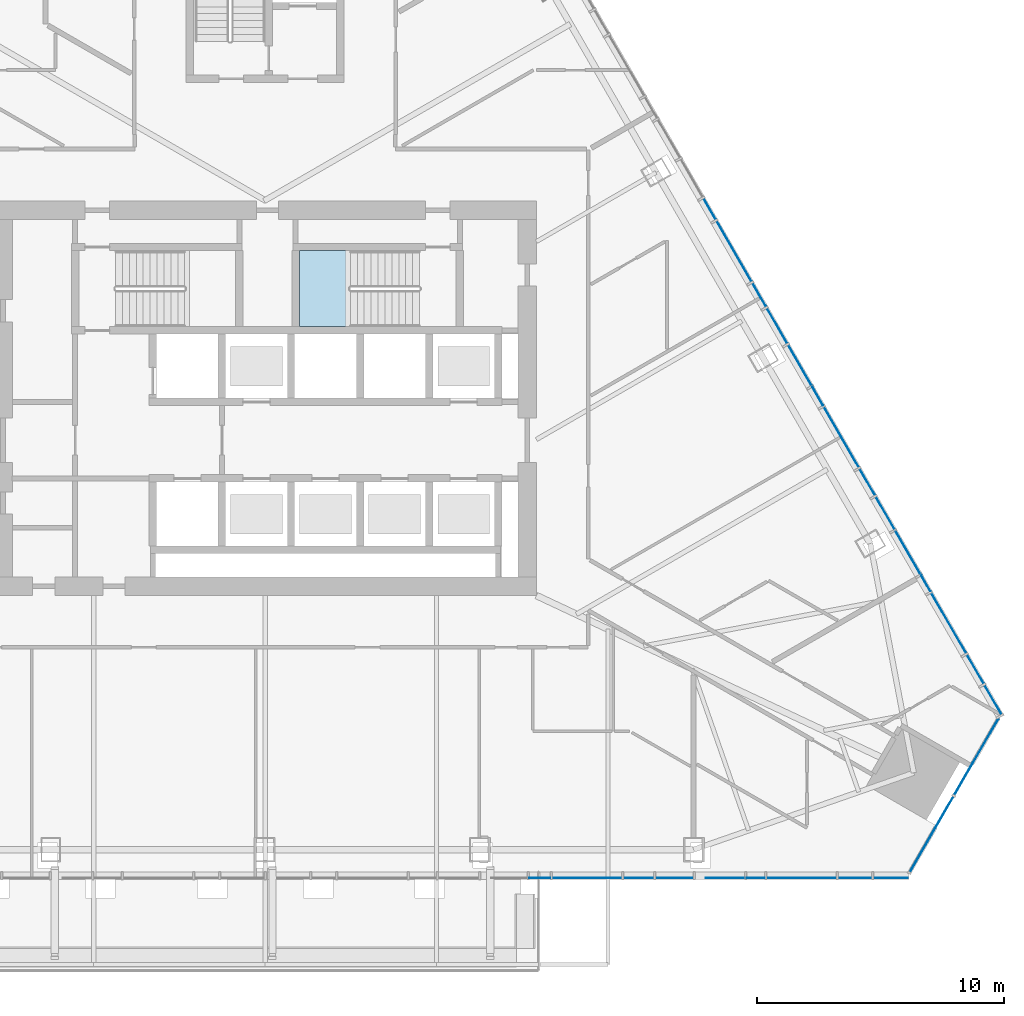
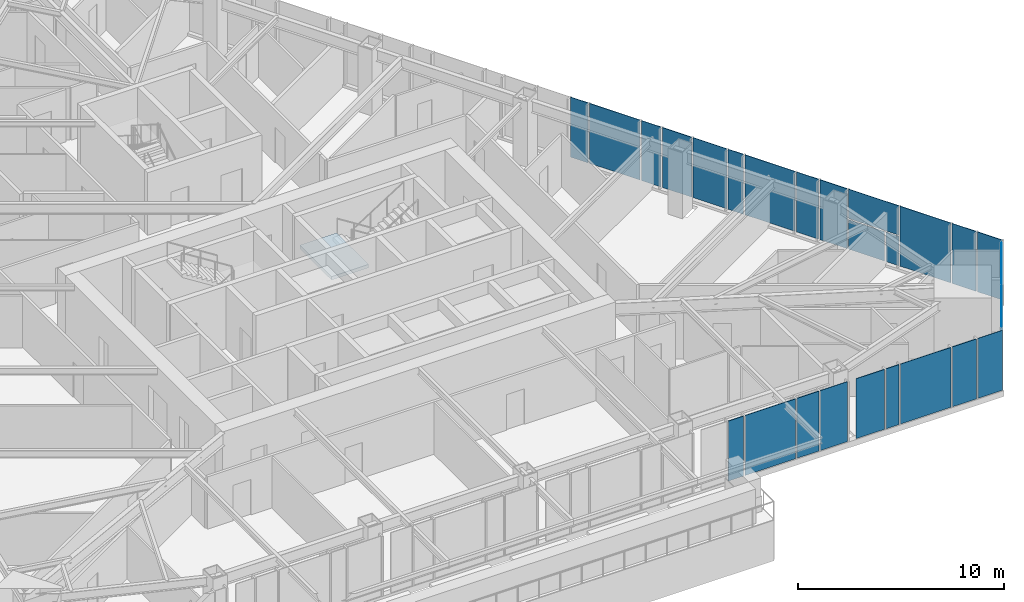
# One storey, part 13 of 23: 26 plates, 1 slab, 4 elements without a shape of their own.
"""IFC4 building model written with IfcOpenShell, lengths in metres."""

from ifc_helpers import new_model, si_unit, direction, frame, origin, place, context, subcontext, project, spatial, polyline, outline, extrude, material, layer, layer_set, type_object, element, aggregate, save


model = new_model("IFC4")

# Units and contexts
model_context = context("Model", 3, precision=1e-05, world=origin(), true_north=direction((0.0, 1.0)))
body_context = subcontext(model_context, "Body", "Model", "MODEL_VIEW")
ifc_project = project(units=[si_unit("LENGTHUNIT", "METRE"), si_unit("AREAUNIT", "SQUARE_METRE"), si_unit("VOLUMEUNIT", "CUBIC_METRE"), si_unit("PLANEANGLEUNIT", "RADIAN"), si_unit("MASSUNIT", "GRAM", prefix="KILO")], contexts=[model_context])

# Site, building, storey
site_placement = place(None, origin())
site = spatial("IfcSite", under=ifc_project, at=site_placement, CompositionType="ELEMENT")
building_placement = place(site_placement, origin())
building = spatial("IfcBuilding", under=site, at=building_placement, Name="Firuza Gate Tower and Library", CompositionType="ELEMENT")
storey_placement = place(building_placement, frame((0.0, 0.0, 190.89990234375)))
storey = spatial("IfcBuildingStorey", under=building, at=storey_placement, Name="L44", CompositionType="ELEMENT", Elevation=190.89990234375)

# Curtain wall, plates
ifc_material_1 = material(Name="Aluminium 6063-T6", Category="aluminium")
ifc_layer_1 = layer(ifc_material_1, 0.14990234375)
ifc_layer_set_1 = layer_set([ifc_layer_1], Name="Corner curtain wall, chamfers")
curtain_wall_type_1 = type_object("IfcCurtainWallType", Name="Corner curtain wall, chamfers", PredefinedType="NOTDEFINED", material=ifc_layer_set_1)
placement = place(storey_placement, origin())
curtain_wall_1 = element("IfcCurtainWall", 1, at=placement, inside=storey, type_object=curtain_wall_type_1, Name="CW4 L44 SE corner", PredefinedType="NOTDEFINED")
ifc_material_2 = material(Name="Fritted glass", Category="glass")
ifc_layer_2 = layer(ifc_material_2, 0.030029296875)
ifc_layer_set_2 = layer_set([ifc_layer_2], Name="Fritted glass unit, corners")
plate_type_1 = type_object("IfcPlateType", Name="Fritted glass unit, corners", PredefinedType="CURTAIN_PANEL", material=ifc_layer_set_2)
plate_1_placement = place(storey_placement, frame((101.133544921875, 55.7509765625, 0.150146484375), z_axis=(0.866016723041, -0.500015035186, 0.0), x_axis=(0.500015035186, 0.866016723041, 0.0)))
plate_1 = element("IfcPlate", 2, at=plate_1_placement, type_object=plate_type_1, Name="Glass unit", PredefinedType="CURTAIN_PANEL", context=body_context, shape_type="SweptSolid", body=[
    extrude(outline(polyline([(0.0, 0.0), (3.5633694106530625, 0.0), (3.5633694106530625, 3.550048828125), (0.0, 3.550048828125), (0.0, 0.0)])), origin(), (0.0, 0.0, -1.0), 0.030029296875),
])
plate_2_placement = place(storey_placement, frame((102.955322265625, 58.90625, 0.150146484375), z_axis=(0.866016723041, -0.500015035186, 0.0), x_axis=(0.500015035186, 0.866016723041, 0.0)))
plate_2 = element("IfcPlate", 3, at=plate_2_placement, type_object=plate_type_1, Name="Glass unit", PredefinedType="CURTAIN_PANEL", context=body_context, shape_type="SweptSolid", body=[
    extrude(outline(polyline([(0.0, 0.0), (3.5633694106530625, 0.0), (3.5633694106530625, 3.550048828125), (0.0, 3.550048828125), (0.0, 0.0)])), origin(), (0.0, 0.0, -1.0), 0.030029296875),
])
aggregate(curtain_wall_1, [plate_1, plate_2])

ifc_material_3 = material(Name="Aluminium 6063-T6", Category="aluminium")
ifc_layer_3 = layer(ifc_material_3, 0.14990234375)
ifc_layer_set_3 = layer_set([ifc_layer_3], Name="Unitised curtain wall, hotel")
curtain_wall_type_2 = type_object("IfcCurtainWallType", Name="Unitised curtain wall, hotel", PredefinedType="NOTDEFINED", material=ifc_layer_set_3)
curtain_wall_2 = element("IfcCurtainWall", 4, at=placement, inside=storey, type_object=curtain_wall_type_2, Name="CW2 L44 S face", PredefinedType="NOTDEFINED")
ifc_material_4 = material(Name="Fritted glass", Category="glass")
ifc_layer_4 = layer(ifc_material_4, 0.030029296875)
ifc_layer_set_4 = layer_set([ifc_layer_4], Name="Fritted glass unit, hotel")
plate_type_2 = type_object("IfcPlateType", Name="Fritted glass unit, hotel", PredefinedType="CURTAIN_PANEL", material=ifc_layer_set_4)
plate_3_placement = place(storey_placement, frame((90.843994140625, 55.538818359375, 0.150146484375), z_axis=(0.0, -1.0, 0.0), x_axis=(1.0, 0.0, 0.0)))
plate_3 = element("IfcPlate", 5, at=plate_3_placement, type_object=plate_type_2, Name="Glass unit", PredefinedType="CURTAIN_PANEL", context=body_context, shape_type="SweptSolid", body=[
    extrude(outline(polyline([(0.0, 0.0), (1.516357421875, 0.0), (1.516357421875, 3.550048828125), (0.0, 3.550048828125), (0.0, 0.0)])), origin(), (0.0, 0.0, -1.0), 0.030029296875),
])
plate_4_placement = place(storey_placement, frame((92.858642578125, 55.538818359375, 0.150146484375), z_axis=(0.0, -1.0, 0.0), x_axis=(1.0, 0.0, 0.0)))
plate_4 = element("IfcPlate", 6, at=plate_4_placement, type_object=plate_type_2, Name="Glass unit", PredefinedType="CURTAIN_PANEL", context=body_context, shape_type="SweptSolid", body=[
    extrude(outline(polyline([(0.0, 0.0), (1.5927734375, 0.0), (1.5927734375, 3.550048828125), (0.0, 3.550048828125), (0.0, 0.0)])), origin(), (0.0, 0.0, -1.0), 0.030029296875),
])
plate_5_placement = place(storey_placement, frame((99.66796875, 55.538818359375, 0.150146484375), z_axis=(0.0, -1.0, 0.0), x_axis=(1.0, 0.0, 0.0)))
plate_5 = element("IfcPlate", 7, at=plate_5_placement, type_object=plate_type_2, Name="Glass unit", PredefinedType="CURTAIN_PANEL", context=body_context, shape_type="SweptSolid", body=[
    extrude(outline(polyline([(0.0, 0.0), (1.392578125, 0.0), (1.392578125, 3.550048828125), (0.0, 3.550048828125), (0.0, 0.0)])), origin(), (0.0, 0.0, -1.0), 0.030029296875),
])

curtain_wall_3 = element("IfcCurtainWall", 8, at=placement, inside=storey, type_object=curtain_wall_type_2, Name="CW2 L44 E face", PredefinedType="NOTDEFINED")
plate_6_placement = place(storey_placement, frame((104.88427734375, 62.161376953125, 0.150146484375), z_axis=(0.866001699761, 0.500041054325, 0.0), x_axis=(-0.500041054325, 0.866001699761, 0.0)))
plate_6 = element("IfcPlate", 9, at=plate_6_placement, type_object=plate_type_2, Name="Glass unit", PredefinedType="CURTAIN_PANEL", context=body_context, shape_type="SweptSolid", body=[
    extrude(outline(polyline([(0.0, 0.0), (1.3929520328393656, 0.0), (1.3929520328393656, 3.550048828125), (0.0, 3.550048828125), (0.0, 0.0)])), origin(), (0.0, 0.0, -1.0), 0.030029296875),
])
plate_7_placement = place(storey_placement, frame((101.57958984375, 67.88525390625, 0.150146484375), z_axis=(0.865985419867, 0.500069247782, 0.0), x_axis=(-0.500069247782, 0.865985419867, 0.0)))
plate_7 = element("IfcPlate", 10, at=plate_7_placement, type_object=plate_type_2, Name="Glass unit", PredefinedType="CURTAIN_PANEL", context=body_context, shape_type="SweptSolid", body=[
    extrude(outline(polyline([(0.0, 0.0), (2.0109519608221467, 0.0), (2.0109519608221467, 1.73486328125), (0.0, 1.73486328125), (0.0, 0.0)])), origin(), (0.0, 0.0, -1.0), 0.030029296875),
])
plate_8_placement = place(storey_placement, frame((101.984130859375, 67.1845703125, 1.965087890625), z_axis=(0.865996714767, 0.500049687543, 0.0), x_axis=(-0.500049687543, 0.865996714767, 0.0)))
plate_8 = element("IfcPlate", 11, at=plate_8_placement, type_object=plate_type_2, Name="Glass unit", PredefinedType="CURTAIN_PANEL", context=body_context, shape_type="SweptSolid", body=[
    extrude(outline(polyline([(0.0, 0.0), (2.820032259049788, 0.0), (2.820032259049788, 1.735107421875), (0.0, 1.735107421875), (0.0, 0.0)])), origin(), (0.0, 0.0, -1.0), 0.030029296875),
])
plate_9_placement = place(storey_placement, frame((100.5341796875, 69.696044921875, 0.150146484375), z_axis=(0.865995223251, 0.500052270574, 0.0), x_axis=(-0.500052270574, 0.865995223251, 0.0)))
plate_9 = element("IfcPlate", 12, at=plate_9_placement, type_object=plate_type_2, Name="Glass unit", PredefinedType="CURTAIN_PANEL", context=body_context, shape_type="SweptSolid", body=[
    extrude(outline(polyline([(0.0, 0.0), (1.5164430318043731, 0.0), (1.5164430318043731, 3.550048828125), (0.0, 3.550048828125), (0.0, 0.0)])), origin(), (0.0, 0.0, -1.0), 0.030029296875),
])
plate_10_placement = place(storey_placement, frame((97.167724609375, 75.52685546875, 0.150146484375), z_axis=(0.865989558321, 0.500062081026, 0.0), x_axis=(-0.500062081026, 0.865989558321, 0.0)))
plate_10 = element("IfcPlate", 13, at=plate_10_placement, type_object=plate_type_2, Name="Glass unit", PredefinedType="CURTAIN_PANEL", context=body_context, shape_type="SweptSolid", body=[
    extrude(outline(polyline([(0.0, 0.0), (1.8874609614749842, 0.0), (1.8874609614749842, 3.550048828125), (0.0, 3.550048828125), (0.0, 0.0)])), origin(), (0.0, 0.0, -1.0), 0.030029296875),
])
plate_11_placement = place(storey_placement, frame((96.183837890625, 77.230712890625, 0.150146484375), z_axis=(0.866054188497, 0.499950140102, 0.0), x_axis=(-0.499950140102, 0.866054188497, 0.0)))
plate_11 = element("IfcPlate", 14, at=plate_11_placement, type_object=plate_type_2, Name="Glass unit", PredefinedType="CURTAIN_PANEL", context=body_context, shape_type="SweptSolid", body=[
    extrude(outline(polyline([(0.0, 0.0), (1.639811959215213, 0.0), (1.639811959215213, 3.550048828125), (0.0, 3.550048828125), (0.0, 0.0)])), origin(), (0.0, 0.0, -1.0), 0.030029296875),
])

# Plate
ifc_material_5 = material(Name="Glazed ceramic tile")
ifc_layer_5 = layer(ifc_material_5, 0.030029296875)
ifc_layer_set_5 = layer_set([ifc_layer_5], Name="Opaque ceramic panel, hotel")
plate_type_3 = type_object("IfcPlateType", Name="Opaque ceramic panel, hotel", PredefinedType="CURTAIN_PANEL", material=ifc_layer_set_5)
plate_12_placement = place(storey_placement, frame((85.70751953125, 55.538818359375, 0.150146484375), z_axis=(0.0, -1.0, 0.0), x_axis=(1.0, 0.0, 0.0)))
plate_12 = element("IfcPlate", 15, at=plate_12_placement, type_object=plate_type_3, Name="Opaque ceramic panel", PredefinedType="CURTAIN_PANEL", context=body_context, shape_type="SweptSolid", body=[
    extrude(outline(polyline([(0.0, 0.0), (0.852783203125, 0.0), (0.852783203125, 3.550048828125), (0.0, 3.550048828125), (0.0, 0.0)])), origin(), (0.0, 0.0, -1.0), 0.030029296875),
])

plate_13_placement = place(storey_placement, frame((86.640380859375, 55.538818359375, 0.150146484375), z_axis=(0.0, -1.0, 0.0), x_axis=(1.0, 0.0, 0.0)))
plate_13 = element("IfcPlate", 16, at=plate_13_placement, type_object=plate_type_3, Name="Opaque ceramic panel", PredefinedType="CURTAIN_PANEL", context=body_context, shape_type="SweptSolid", body=[
    extrude(outline(polyline([(0.0, 0.0), (2.820068359375, 0.0), (2.820068359375, 3.550048828125), (0.0, 3.550048828125), (0.0, 0.0)])), origin(), (0.0, 0.0, -1.0), 0.030029296875),
])

plate_14_placement = place(storey_placement, frame((89.540283203125, 55.538818359375, 0.150146484375), z_axis=(0.0, -1.0, 0.0), x_axis=(1.0, 0.0, 0.0)))
plate_14 = element("IfcPlate", 17, at=plate_14_placement, type_object=plate_type_3, Name="Opaque ceramic panel", PredefinedType="CURTAIN_PANEL", context=body_context, shape_type="SweptSolid", body=[
    extrude(outline(polyline([(0.0, 0.0), (1.2236328125, 0.0), (1.2236328125, 3.550048828125), (0.0, 3.550048828125), (0.0, 0.0)])), origin(), (0.0, 0.0, -1.0), 0.030029296875),
])

plate_15_placement = place(storey_placement, frame((94.531494140625, 55.538818359375, 0.150146484375), z_axis=(0.0, -1.0, 0.0), x_axis=(1.0, 0.0, 0.0)))
plate_15 = element("IfcPlate", 18, at=plate_15_placement, type_object=plate_type_3, Name="Opaque ceramic panel", PredefinedType="CURTAIN_PANEL", context=body_context, shape_type="SweptSolid", body=[
    extrude(outline(polyline([(0.0, 0.0), (0.72900390625, 0.0), (0.72900390625, 3.550048828125), (0.0, 3.550048828125), (0.0, 0.0)])), origin(), (0.0, 0.0, -1.0), 0.030029296875),
])

plate_16_placement = place(storey_placement, frame((95.340576171875, 55.538818359375, 0.150146484375), z_axis=(0.0, -1.0, 0.0), x_axis=(1.0, 0.0, 0.0)))
plate_16 = element("IfcPlate", 19, at=plate_16_placement, type_object=plate_type_3, Name="Opaque ceramic panel", PredefinedType="CURTAIN_PANEL", context=body_context, shape_type="SweptSolid", body=[
    extrude(outline(polyline([(0.0, 0.0), (2.820068359375, 0.0), (2.820068359375, 3.550048828125), (0.0, 3.550048828125), (0.0, 0.0)])), origin(), (0.0, 0.0, -1.0), 0.030029296875),
])

plate_17_placement = place(storey_placement, frame((98.240478515625, 55.538818359375, 0.150146484375), z_axis=(0.0, -1.0, 0.0), x_axis=(1.0, 0.0, 0.0)))
plate_17 = element("IfcPlate", 20, at=plate_17_placement, type_object=plate_type_3, Name="Opaque ceramic panel", PredefinedType="CURTAIN_PANEL", context=body_context, shape_type="SweptSolid", body=[
    extrude(outline(polyline([(0.0, 0.0), (1.347412109375, 0.0), (1.347412109375, 3.550048828125), (0.0, 3.550048828125), (0.0, 0.0)])), origin(), (0.0, 0.0, -1.0), 0.030029296875),
])

aggregate(curtain_wall_2, [plate_12, plate_13, plate_14, plate_3, plate_4, plate_15, plate_16, plate_17, plate_5])

plate_18_placement = place(storey_placement, frame((104.147705078125, 63.436767578125, 0.150146484375), z_axis=(0.866037718234, 0.499978670142, 0.0), x_axis=(-0.499978670142, 0.866037718234, 0.0)))
plate_18 = element("IfcPlate", 21, at=plate_18_placement, type_object=plate_type_3, Name="Opaque ceramic panel", PredefinedType="CURTAIN_PANEL", context=body_context, shape_type="SweptSolid", body=[
    extrude(outline(polyline([(0.0, 0.0), (1.347225441005746, 0.0), (1.347225441005746, 3.550048828125), (0.0, 3.550048828125), (0.0, 0.0)])), origin(), (0.0, 0.0, -1.0), 0.030029296875),
])

plate_19_placement = place(storey_placement, frame((103.43408203125, 64.6728515625, 0.150146484375), z_axis=(0.866055844559, 0.499947271324, 0.0), x_axis=(-0.499947271324, 0.866055844559, 0.0)))
plate_19 = element("IfcPlate", 22, at=plate_19_placement, type_object=plate_type_3, Name="Opaque ceramic panel", PredefinedType="CURTAIN_PANEL", context=body_context, shape_type="SweptSolid", body=[
    extrude(outline(polyline([(0.0, 0.0), (2.820121621306016, 0.0), (2.820121621306016, 3.550048828125), (0.0, 3.550048828125), (0.0, 0.0)])), origin(), (0.0, 0.0, -1.0), 0.030029296875),
])

plate_20_placement = place(storey_placement, frame((101.984130859375, 67.1845703125, 0.150146484375), z_axis=(0.866029434536, 0.499993018469, 0.0), x_axis=(-0.499993018469, 0.866029434536, 0.0)))
plate_20 = element("IfcPlate", 23, at=plate_20_placement, type_object=plate_type_3, Name="Opaque ceramic panel", PredefinedType="CURTAIN_PANEL", context=body_context, shape_type="SweptSolid", body=[
    extrude(outline(polyline([(0.0, 0.0), (0.7290140855184541, 0.0), (0.7290140855184541, 1.73486328125), (0.0, 1.73486328125), (0.0, 0.0)])), origin(), (0.0, 0.0, -1.0), 0.030029296875),
])

plate_21_placement = place(storey_placement, frame((99.73583984375, 71.07861328125, 0.150146484375), z_axis=(0.865999496279, 0.500044870432, 0.0), x_axis=(-0.500044870432, 0.865999496279, 0.0)))
plate_21 = element("IfcPlate", 24, at=plate_21_placement, type_object=plate_type_3, Name="Opaque ceramic panel", PredefinedType="CURTAIN_PANEL", context=body_context, shape_type="SweptSolid", body=[
    extrude(outline(polyline([(0.0, 0.0), (1.2235230124881236, 0.0), (1.2235230124881236, 3.550048828125001), (0.0, 3.550048828125001), (0.0, 0.0)])), origin(), (0.0, 0.0, -1.0), 0.030029296875),
])

plate_22_placement = place(storey_placement, frame((99.083984375, 72.20751953125, 0.150146484375), z_axis=(0.866055844559, 0.499947271324, 0.0), x_axis=(-0.499947271324, 0.866055844559, 0.0)))
plate_22 = element("IfcPlate", 25, at=plate_22_placement, type_object=plate_type_3, Name="Opaque ceramic panel", PredefinedType="CURTAIN_PANEL", context=body_context, shape_type="SweptSolid", body=[
    extrude(outline(polyline([(0.0, 0.0), (2.820121621306016, 0.0), (2.820121621306016, 3.550048828125), (0.0, 3.550048828125), (0.0, 0.0)])), origin(), (0.0, 0.0, -1.0), 0.030029296875),
])

plate_23_placement = place(storey_placement, frame((97.634033203125, 74.718994140625, 0.150146484375), z_axis=(0.865961504441, 0.500110660581, 0.0), x_axis=(-0.500110660581, 0.865961504441, 0.0)))
plate_23 = element("IfcPlate", 26, at=plate_23_placement, type_object=plate_type_3, Name="Opaque ceramic panel", PredefinedType="CURTAIN_PANEL", context=body_context, shape_type="SweptSolid", body=[
    extrude(outline(polyline([(0.0, 0.0), (0.8528385925215298, 0.0), (0.8528385925215298, 3.550048828125), (0.0, 3.550048828125), (0.0, 0.0)])), origin(), (0.0, 0.0, -1.0), 0.030029296875),
])

plate_24_placement = place(storey_placement, frame((95.323974609375, 78.72021484375, 0.150146484375), z_axis=(0.866008176907, 0.50002983664, 0.0), x_axis=(-0.50002983664, 0.866008176907, 0.0)))
plate_24 = element("IfcPlate", 27, at=plate_24_placement, type_object=plate_type_3, Name="Opaque ceramic panel", PredefinedType="CURTAIN_PANEL", context=body_context, shape_type="SweptSolid", body=[
    extrude(outline(polyline([(0.0, 0.0), (1.1000320137307154, 0.0), (1.1000320137307154, 3.550048828125), (0.0, 3.550048828125), (0.0, 0.0)])), origin(), (0.0, 0.0, -1.0), 0.030029296875),
])

plate_25_placement = place(storey_placement, frame((94.73388671875, 79.7421875, 0.150146484375), z_axis=(0.866034203951, 0.499984757355, 0.0), x_axis=(-0.499984757355, 0.866034203951, 0.0)))
plate_25 = element("IfcPlate", 28, at=plate_25_placement, type_object=plate_type_3, Name="Opaque ceramic panel", PredefinedType="CURTAIN_PANEL", context=body_context, shape_type="SweptSolid", body=[
    extrude(outline(polyline([(0.0, 0.0), (2.8199101845324175, 0.0), (2.8199101845324175, 3.550048828125001), (0.0, 3.550048828125001), (0.0, 0.0)])), origin(), (0.0, 0.0, -1.0), 0.030029296875),
])

plate_26_placement = place(storey_placement, frame((93.283935546875, 82.253662109375, 0.150146484375), z_axis=(0.865956528199, 0.500119277042, 0.0), x_axis=(-0.500119277042, 0.865956528199, 0.0)))
plate_26 = element("IfcPlate", 29, at=plate_26_placement, type_object=plate_type_3, Name="Opaque ceramic panel", PredefinedType="CURTAIN_PANEL", context=body_context, shape_type="SweptSolid", body=[
    extrude(outline(polyline([(0.0, 0.0), (0.9763295925874464, 0.0), (0.9763295925874464, 3.550048828125), (0.0, 3.550048828125), (0.0, 0.0)])), origin(), (0.0, 0.0, -1.0), 0.030029296875),
])

aggregate(curtain_wall_3, [plate_6, plate_18, plate_19, plate_20, plate_7, plate_8, plate_9, plate_21, plate_22, plate_23, plate_10, plate_11, plate_24, plate_25, plate_26])

# Stair, slab
ifc_material_6 = material(Name="Concrete C35/45", Category="concrete")
stair_type = type_object("IfcStairType", Name="Exit stair ST7", PredefinedType="HALF_TURN_STAIR", material=ifc_material_6)
stair = element("IfcStair", 30, at=placement, inside=storey, type_object=stair_type, Name="L44 Stair ST2", PredefinedType="HALF_TURN_STAIR")
ifc_material_7 = material(Name="Concrete C35/45", Category="concrete")
ifc_layer_6 = layer(ifc_material_7, 0.199951171875)
ifc_layer_set_6 = layer_set([ifc_layer_6], Name="Stair landing 200")
slab_type = type_object("IfcSlabType", Name="Stair landing 200", PredefinedType="LANDING", material=ifc_layer_set_6)
slab_placement = place(storey_placement, frame((0.0, 0.0, 1.75)))
slab = element("IfcSlab", 31, at=slab_placement, type_object=slab_type, Name="ST2 landing 1", PredefinedType="LANDING", context=body_context, shape_type="SweptSolid", body=[
    extrude(outline(polyline([(78.4599609375, 80.97998046875), (76.389892578125, 80.97998046875), (76.389892578125, 77.89990234375), (78.4599609375, 77.89990234375), (78.4599609375, 80.97998046875)])), origin(), (0.0, 0.0, 1.0), 0.2001953125),
])
aggregate(stair, [slab])

save(model, "model.ifc")
